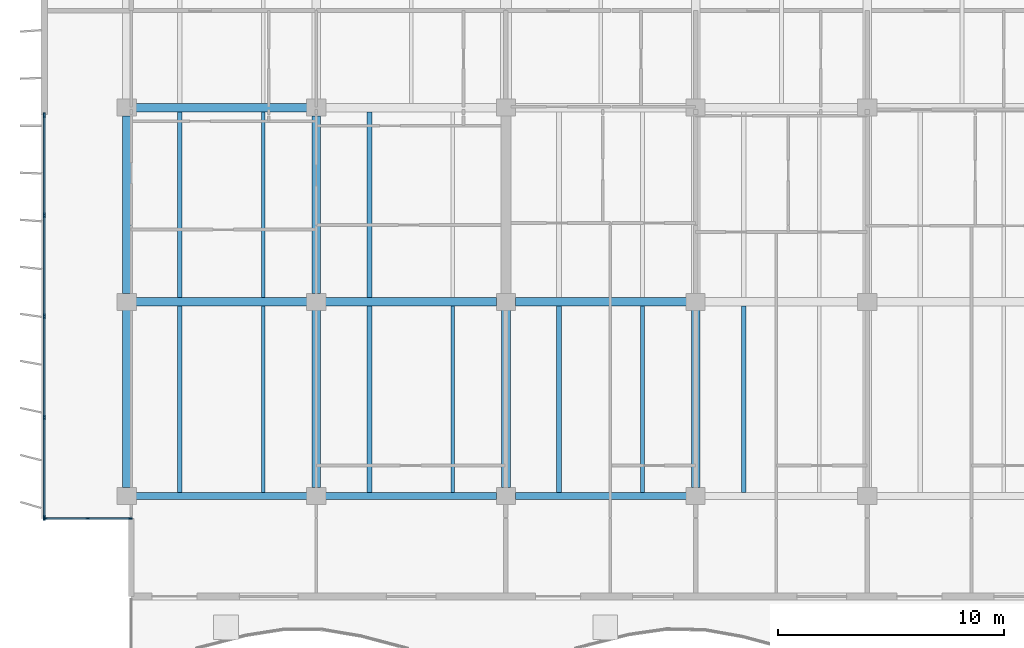
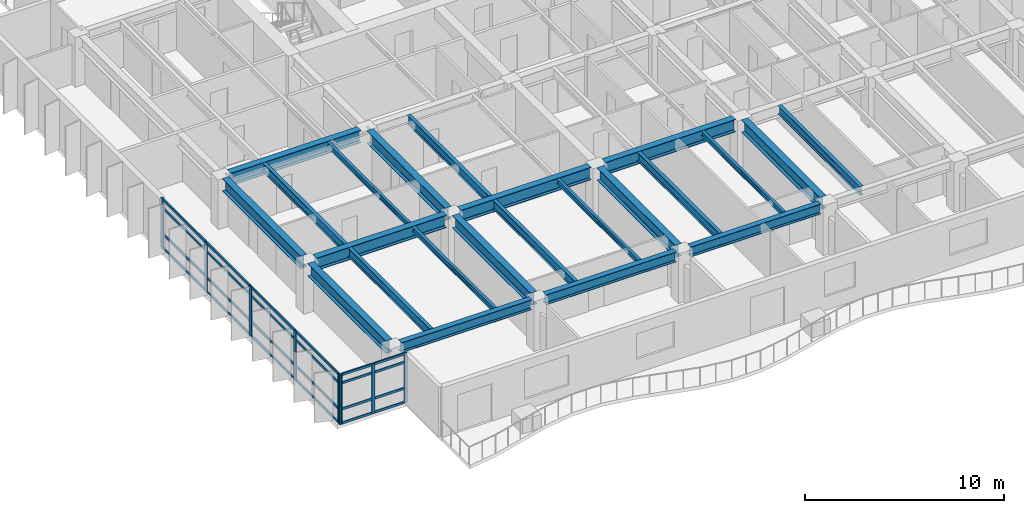
# One storey, part 2 of 19: 32 members, 23 beams, 2 elements without a shape of their own.
"""IFC4 building model written with IfcOpenShell, lengths in metres."""

from ifc_helpers import new_model, si_unit, direction, frame, origin, origin_2d, place, context, subcontext, project, spatial, rectangle, i_section, extrude, material, layer, layer_set, material_profile, profile_set, type_object, element, aggregate, save


model = new_model("IFC4")

# Units and contexts
model_context = context("Model", 3, precision=1e-05, world=origin(), true_north=direction((0.0, 1.0)))
body_context = subcontext(model_context, "Body", "Model", "MODEL_VIEW")
ifc_project = project(units=[si_unit("LENGTHUNIT", "METRE"), si_unit("AREAUNIT", "SQUARE_METRE"), si_unit("VOLUMEUNIT", "CUBIC_METRE"), si_unit("PLANEANGLEUNIT", "RADIAN"), si_unit("MASSUNIT", "GRAM", prefix="KILO")], contexts=[model_context])

# Site, building, storey
site_placement = place(None, origin())
site = spatial("IfcSite", under=ifc_project, at=site_placement, CompositionType="ELEMENT")
building_placement = place(site_placement, origin())
building = spatial("IfcBuilding", under=site, at=building_placement, Name="Caelmar Bay Residences", CompositionType="ELEMENT")
storey_placement = place(building_placement, frame((0.0, 0.0, 167.10009765625)))
storey = spatial("IfcBuildingStorey", under=building, at=storey_placement, Name="L46", CompositionType="ELEMENT", Elevation=167.10009765625)

# Beams
ifc_material_1 = material(Name="Steel ASTM A992 Grade 50", Category="steel")
ifc_material_profile_1 = material_profile(ifc_material_1, i_section(OverallWidth=0.381103515625, OverallDepth=0.77197265625, WebThickness=0.0166015625, FlangeThickness=0.027099609375, FilletRadius=0.0166015625, at=origin_2d()), Name="W30X173")
ifc_profile_set_1 = profile_set([ifc_material_profile_1], Name="Steel ASTM A992 Grade 50")
beam_type_1 = type_object("IfcBeamType", Name="BM-GRD-W30X173", PredefinedType="BEAM", material=ifc_profile_set_1)
beam_1_placement = place(storey_placement, frame((10.31494140625, 20.800048828125, 2.663818359375), z_axis=(1.0, 0.0, 0.0), x_axis=(0.0, 1.0, 0.0)))
element("IfcBeam", 1, at=beam_1_placement, inside=storey, type_object=beam_type_1, Name="L46 East-West Girder Y=20.80 (9.9-18.3)", PredefinedType="BEAM", context=body_context, shape_type="SweptSolid", body=[
    extrude(i_section(OverallWidth=0.381103515625, OverallDepth=0.77197265625, WebThickness=0.0166015625, FlangeThickness=0.027099609375, FilletRadius=0.0166015625, at=origin_2d()), origin(), (0.0, 0.0, 1.0), 7.570068359375),
])
beam_2_placement = place(storey_placement, frame((18.715087890625, 20.800048828125, 2.663818359375), z_axis=(1.0, 0.0, 0.0), x_axis=(0.0, 1.0, 0.0)))
element("IfcBeam", 2, at=beam_2_placement, inside=storey, type_object=beam_type_1, Name="L46 East-West Girder Y=20.80 (18.3-26.7)", PredefinedType="BEAM", context=body_context, shape_type="SweptSolid", body=[
    extrude(i_section(OverallWidth=0.381103515625, OverallDepth=0.77197265625, WebThickness=0.0166015625, FlangeThickness=0.027099609375, FilletRadius=0.0166015625, at=origin_2d()), origin(), (0.0, 0.0, 1.0), 7.56982421875),
])
for number, where, z_axis, x_axis, name in (
    (3, (27.114990234375, 20.800048828125, 2.663818359375), (1.0, 0.0, 0.0), (0.0, 1.0, 0.0), "L46 East-West Girder Y=20.80 (26.7-35.1)"),
    (4, (10.31494140625, 29.39990234375, 2.663818359375), (1.0, 0.0, 0.0), (0.0, 1.0, 0.0), "L46 East-West Girder Y=29.40 (9.9-18.3)"),
):
    element("IfcBeam", number, at=place(storey_placement, frame(where, z_axis=z_axis, x_axis=x_axis)), inside=storey, type_object=beam_type_1, Name=name, PredefinedType="BEAM", context=body_context, shape_type="SweptSolid", body=[
        extrude(i_section(OverallWidth=0.381103515625, OverallDepth=0.77197265625, WebThickness=0.0166015625, FlangeThickness=0.027099609375, FilletRadius=0.0166015625, at=origin_2d()), origin(), (0.0, 0.0, 1.0), 7.570068359375),
    ])
beam_3_placement = place(storey_placement, frame((9.89990234375, 12.56494140625, 2.663818359375), z_axis=(0.0, 1.0, 0.0), x_axis=(-1.0, 0.0, 0.0)))
element("IfcBeam", 5, at=beam_3_placement, inside=storey, type_object=beam_type_1, Name="L46 North-South Girder X=9.90 (12.2-20.8)", PredefinedType="BEAM", context=body_context, shape_type="SweptSolid", body=[
    extrude(i_section(OverallWidth=0.381103515625, OverallDepth=0.77197265625, WebThickness=0.0166015625, FlangeThickness=0.027099609375, FilletRadius=0.0166015625, at=origin_2d()), origin(), (0.0, 0.0, 1.0), 7.8701171875),
])
beam_4_placement = place(storey_placement, frame((9.89990234375, 21.1650390625, 2.663818359375), z_axis=(0.0, 1.0, 0.0), x_axis=(-1.0, 0.0, 0.0)))
element("IfcBeam", 6, at=beam_4_placement, inside=storey, type_object=beam_type_1, Name="L46 North-South Girder X=9.90 (20.8-29.4)", PredefinedType="BEAM", context=body_context, shape_type="SweptSolid", body=[
    extrude(i_section(OverallWidth=0.381103515625, OverallDepth=0.77197265625, WebThickness=0.0166015625, FlangeThickness=0.027099609375, FilletRadius=0.0166015625, at=origin_2d()), origin(), (0.0, 0.0, 1.0), 7.869873046875),
])
beam_5_placement = place(storey_placement, frame((18.300048828125, 12.56494140625, 2.663818359375), z_axis=(0.0, 1.0, 0.0), x_axis=(-1.0, 0.0, 0.0)))
element("IfcBeam", 7, at=beam_5_placement, inside=storey, type_object=beam_type_1, Name="L46 North-South Girder X=18.30 (12.2-20.8)", PredefinedType="BEAM", context=body_context, shape_type="SweptSolid", body=[
    extrude(i_section(OverallWidth=0.381103515625, OverallDepth=0.77197265625, WebThickness=0.0166015625, FlangeThickness=0.027099609375, FilletRadius=0.0166015625, at=origin_2d()), origin(), (0.0, 0.0, 1.0), 7.8701171875),
])
beam_6_placement = place(storey_placement, frame((18.300048828125, 21.1650390625, 2.663818359375), z_axis=(0.0, 1.0, 0.0), x_axis=(-1.0, 0.0, 0.0)))
element("IfcBeam", 8, at=beam_6_placement, inside=storey, type_object=beam_type_1, Name="L46 North-South Girder X=18.30 (20.8-29.4)", PredefinedType="BEAM", context=body_context, shape_type="SweptSolid", body=[
    extrude(i_section(OverallWidth=0.381103515625, OverallDepth=0.77197265625, WebThickness=0.0166015625, FlangeThickness=0.027099609375, FilletRadius=0.0166015625, at=origin_2d()), origin(), (0.0, 0.0, 1.0), 7.869873046875),
])
for number, where, z_axis, x_axis, name in (
    (9, (26.699951171875, 12.56494140625, 2.663818359375), (0.0, 1.0, 0.0), (-1.0, 0.0, 0.0), "L46 North-South Girder X=26.70 (12.2-20.8)"),
    (10, (35.10009765625, 12.56494140625, 2.663818359375), (0.0, 1.0, 0.0), (-1.0, 0.0, 0.0), "L46 North-South Girder X=35.10 (12.2-20.8)"),
):
    element("IfcBeam", number, at=place(storey_placement, frame(where, z_axis=z_axis, x_axis=x_axis)), inside=storey, type_object=beam_type_1, Name=name, PredefinedType="BEAM", context=body_context, shape_type="SweptSolid", body=[
        extrude(i_section(OverallWidth=0.381103515625, OverallDepth=0.77197265625, WebThickness=0.0166015625, FlangeThickness=0.027099609375, FilletRadius=0.0166015625, at=origin_2d()), origin(), (0.0, 0.0, 1.0), 7.8701171875),
    ])
ifc_material_profile_2 = material_profile(ifc_material_1, i_section(OverallWidth=0.1650390625, OverallDepth=0.31005859375, WebThickness=0.005859375, FlangeThickness=0.009765625, FilletRadius=0.007568359375, at=origin_2d()), Name="W12X26")
ifc_profile_set_2 = profile_set([ifc_material_profile_2], Name="Steel ASTM A992 Grade 50")
beam_type_2 = type_object("IfcBeamType", Name="BM-JST-W12X26", PredefinedType="JOIST", material=ifc_profile_set_2)
for number, where, z_axis, x_axis, name in (
    (11, (15.947998046875, 12.362548828125, 2.89501953125), (0.0, 1.0, 0.0), (-1.0, 0.0, 0.0), "L46 Composite Floor Joist 2"),
    (12, (24.347900390625, 12.362548828125, 2.89501953125), (0.0, 1.0, 0.0), (-1.0, 0.0, 0.0), "L46 Composite Floor Joist 4"),
    (13, (32.748046875, 12.362548828125, 2.89501953125), (0.0, 1.0, 0.0), (-1.0, 0.0, 0.0), "L46 Composite Floor Joist 6"),
):
    element("IfcBeam", number, at=place(storey_placement, frame(where, z_axis=z_axis, x_axis=x_axis)), inside=storey, type_object=beam_type_2, Name=name, PredefinedType="JOIST", context=body_context, shape_type="SweptSolid", body=[
        extrude(i_section(OverallWidth=0.1650390625, OverallDepth=0.31005859375, WebThickness=0.005859375, FlangeThickness=0.009765625, FilletRadius=0.007568359375, at=origin_2d()), origin(), (0.0, 0.0, 1.0), 8.2470703125),
    ])
beam_7_placement = place(storey_placement, frame((15.947998046875, 20.990478515625, 2.89501953125), z_axis=(0.0, 1.0, 0.0), x_axis=(-1.0, 0.0, 0.0)))
element("IfcBeam", 14, at=beam_7_placement, inside=storey, type_object=beam_type_2, Name="L46 Composite Floor Joist 16", PredefinedType="JOIST", context=body_context, shape_type="SweptSolid", body=[
    extrude(i_section(OverallWidth=0.1650390625, OverallDepth=0.31005859375, WebThickness=0.005859375, FlangeThickness=0.009765625, FilletRadius=0.007568359375, at=origin_2d()), origin(), (0.0, 0.0, 1.0), 8.218994140625),
])
ifc_material_profile_3 = material_profile(ifc_material_1, i_section(OverallWidth=0.2099609375, OverallDepth=0.535888671875, WebThickness=0.010986328125, FlangeThickness=0.017333984375, FilletRadius=0.0126953125, at=origin_2d()), Name="W21X68")
ifc_profile_set_3 = profile_set([ifc_material_profile_3], Name="Steel ASTM A992 Grade 50")
beam_type_3 = type_object("IfcBeamType", Name="BM-JST-W21X68", PredefinedType="JOIST", material=ifc_profile_set_3)
for number, where, z_axis, x_axis, name in (
    (15, (12.251953125, 12.362548828125, 2.781982421875), (0.0, 1.0, 0.0), (-1.0, 0.0, 0.0), "L46 Composite Floor Joist 1"),
    (16, (20.652099609375, 12.362548828125, 2.781982421875), (0.0, 1.0, 0.0), (-1.0, 0.0, 0.0), "L46 Composite Floor Joist 3"),
    (17, (29.052001953125, 12.362548828125, 2.781982421875), (0.0, 1.0, 0.0), (-1.0, 0.0, 0.0), "L46 Composite Floor Joist 5"),
    (18, (37.22802734375, 12.362548828125, 2.781982421875), (0.0, 1.0, 0.0), (-1.0, 0.0, 0.0), "L46 Composite Floor Joist 7"),
):
    element("IfcBeam", number, at=place(storey_placement, frame(where, z_axis=z_axis, x_axis=x_axis)), inside=storey, type_object=beam_type_3, Name=name, PredefinedType="JOIST", context=body_context, shape_type="SweptSolid", body=[
        extrude(i_section(OverallWidth=0.2099609375, OverallDepth=0.535888671875, WebThickness=0.010986328125, FlangeThickness=0.017333984375, FilletRadius=0.0126953125, at=origin_2d()), origin(), (0.0, 0.0, 1.0), 8.2470703125),
    ])
for number, where, z_axis, x_axis, name in (
    (19, (12.251953125, 20.990478515625, 2.781982421875), (0.0, 1.0, 0.0), (-1.0, 0.0, 0.0), "L46 Composite Floor Joist 15"),
    (20, (20.652099609375, 20.990478515625, 2.781982421875), (0.0, 1.0, 0.0), (-1.0, 0.0, 0.0), "L46 Composite Floor Joist 17"),
):
    element("IfcBeam", number, at=place(storey_placement, frame(where, z_axis=z_axis, x_axis=x_axis)), inside=storey, type_object=beam_type_3, Name=name, PredefinedType="JOIST", context=body_context, shape_type="SweptSolid", body=[
        extrude(i_section(OverallWidth=0.2099609375, OverallDepth=0.535888671875, WebThickness=0.010986328125, FlangeThickness=0.017333984375, FilletRadius=0.0126953125, at=origin_2d()), origin(), (0.0, 0.0, 1.0), 8.218994140625),
    ])
ifc_material_profile_4 = material_profile(ifc_material_1, i_section(OverallWidth=0.324951171875, OverallDepth=0.616943359375, WebThickness=0.013916015625, FlangeThickness=0.021484375, FilletRadius=0.0126953125, at=origin_2d()), Name="W24X117")
ifc_profile_set_4 = profile_set([ifc_material_profile_4], Name="Steel ASTM A992 Grade 50")
beam_type_4 = type_object("IfcBeamType", Name="BM-SPN-W24X117", PredefinedType="SPANDREL", material=ifc_profile_set_4)
beam_8_placement = place(storey_placement, frame((10.31494140625, 12.199951171875, 2.741455078125), z_axis=(1.0, 0.0, 0.0), x_axis=(0.0, 1.0, 0.0)))
element("IfcBeam", 21, at=beam_8_placement, inside=storey, type_object=beam_type_4, Name="L46 East-West Girder Y=12.20 (9.9-18.3)", PredefinedType="SPANDREL", context=body_context, shape_type="SweptSolid", body=[
    extrude(i_section(OverallWidth=0.324951171875, OverallDepth=0.616943359375, WebThickness=0.013916015625, FlangeThickness=0.021484375, FilletRadius=0.0126953125, at=origin_2d()), origin(), (0.0, 0.0, 1.0), 7.570068359375),
])
beam_9_placement = place(storey_placement, frame((18.715087890625, 12.199951171875, 2.741455078125), z_axis=(1.0, 0.0, 0.0), x_axis=(0.0, 1.0, 0.0)))
element("IfcBeam", 22, at=beam_9_placement, inside=storey, type_object=beam_type_4, Name="L46 East-West Girder Y=12.20 (18.3-26.7)", PredefinedType="SPANDREL", context=body_context, shape_type="SweptSolid", body=[
    extrude(i_section(OverallWidth=0.324951171875, OverallDepth=0.616943359375, WebThickness=0.013916015625, FlangeThickness=0.021484375, FilletRadius=0.0126953125, at=origin_2d()), origin(), (0.0, 0.0, 1.0), 7.56982421875),
])
beam_10_placement = place(storey_placement, frame((27.114990234375, 12.199951171875, 2.741455078125), z_axis=(1.0, 0.0, 0.0), x_axis=(0.0, 1.0, 0.0)))
element("IfcBeam", 23, at=beam_10_placement, inside=storey, type_object=beam_type_4, Name="L46 East-West Girder Y=12.20 (26.7-35.1)", PredefinedType="SPANDREL", context=body_context, shape_type="SweptSolid", body=[
    extrude(i_section(OverallWidth=0.324951171875, OverallDepth=0.616943359375, WebThickness=0.013916015625, FlangeThickness=0.021484375, FilletRadius=0.0126953125, at=origin_2d()), origin(), (0.0, 0.0, 1.0), 7.570068359375),
])

# Curtain wall, members
ifc_material_2 = material(Name="Anodised bronze aluminium 6063-T6 and laminated glass", Category="aluminium")
ifc_layer_1 = layer(ifc_material_2, 0.179931640625)
ifc_layer_set_1 = layer_set([ifc_layer_1], Name="Anodised bronze aluminium 6063-T6 and laminated glass")
curtain_wall_type_1 = type_object("IfcCurtainWallType", Name="CW6-NTC", PredefinedType="NOTDEFINED", material=ifc_layer_set_1)
curtain_wall_1_placement = place(storey_placement, origin())
curtain_wall_1 = element("IfcCurtainWall", 24, at=curtain_wall_1_placement, inside=storey, type_object=curtain_wall_type_1, Name="CW6 curtain wall L46", PredefinedType="NOTDEFINED")
ifc_material_3 = material(Name="Anodised bronze aluminium 6063-T6", Category="aluminium")
ifc_material_profile_5 = material_profile(ifc_material_3, rectangle(XDim=0.080078125, YDim=0.179931640625, at=origin_2d()), Name="CWM-80X180")
ifc_profile_set_5 = profile_set([ifc_material_profile_5], Name="Anodised bronze aluminium 6063-T6")
member_type_1 = type_object("IfcMemberType", Name="CWM-180", PredefinedType="MULLION", material=ifc_profile_set_5)
member_1_placement = place(storey_placement, frame((6.2900390625, 11.199951171875, 0.0), z_axis=(0.0, 0.0, 1.0), x_axis=(0.0, 1.0, 0.0)))
member_1 = element("IfcMember", 25, at=member_1_placement, type_object=member_type_1, Name="CW6 mullion 1", PredefinedType="MULLION", context=body_context, shape_type="SweptSolid", body=[
    extrude(rectangle(XDim=0.080078125, YDim=0.179931640625, at=origin_2d()), origin(), (0.0, 0.0, 1.0), 3.0498046875),
])
member_2_placement = place(storey_placement, frame((8.175048828125, 11.199951171875, 0.0), z_axis=(0.0, 0.0, 1.0), x_axis=(0.0, 1.0, 0.0)))
member_2 = element("IfcMember", 26, at=member_2_placement, type_object=member_type_1, Name="CW6 mullion 2", PredefinedType="MULLION", context=body_context, shape_type="SweptSolid", body=[
    extrude(rectangle(XDim=0.080078125, YDim=0.179931640625, at=origin_2d()), origin(), (0.0, 0.0, 1.0), 3.0498046875),
])
member_3_placement = place(storey_placement, frame((10.06005859375, 11.199951171875, 0.0), z_axis=(0.0, 0.0, 1.0), x_axis=(0.0, 1.0, 0.0)))
member_3 = element("IfcMember", 27, at=member_3_placement, type_object=member_type_1, Name="CW6 mullion 3", PredefinedType="MULLION", context=body_context, shape_type="SweptSolid", body=[
    extrude(rectangle(XDim=0.080078125, YDim=0.179931640625, at=origin_2d()), origin(), (0.0, 0.0, 1.0), 3.0498046875),
])

ifc_layer_2 = layer(ifc_material_2, 0.179931640625)
ifc_layer_set_2 = layer_set([ifc_layer_2], Name="Anodised bronze aluminium 6063-T6 and laminated glass")
curtain_wall_type_2 = type_object("IfcCurtainWallType", Name="CW4-Z3", PredefinedType="NOTDEFINED", material=ifc_layer_set_2)
curtain_wall_2_placement = place(storey_placement, origin())
curtain_wall_2 = element("IfcCurtainWall", 28, at=curtain_wall_2_placement, inside=storey, type_object=curtain_wall_type_2, Name="CW4 curtain wall L46", PredefinedType="NOTDEFINED")
ifc_material_profile_6 = material_profile(ifc_material_3, rectangle(XDim=0.080078125, YDim=0.219970703125, at=origin_2d()), Name="CWM-80X220")
ifc_profile_set_6 = profile_set([ifc_material_profile_6], Name="Anodised bronze aluminium 6063-T6")
member_type_2 = type_object("IfcMemberType", Name="CWM-220", PredefinedType="MULLION", material=ifc_profile_set_6)
member_4_placement = place(storey_placement, frame((6.25, 11.239990234375, 0.0), z_axis=(0.0, 0.0, 1.0), x_axis=(-1.0, 0.0, 0.0)))
member_4 = element("IfcMember", 29, at=member_4_placement, type_object=member_type_2, Name="CW4 mullion 1", PredefinedType="MULLION", context=body_context, shape_type="SweptSolid", body=[
    extrude(rectangle(XDim=0.080078125, YDim=0.219970703125, at=origin_2d()), origin(), (0.0, 0.0, 1.0), 3.0498046875),
])
member_5_placement = place(storey_placement, frame((6.25, 15.675048828125, 0.0), z_axis=(0.0, 0.0, 1.0), x_axis=(-1.0, 0.0, 0.0)))
member_5 = element("IfcMember", 30, at=member_5_placement, type_object=member_type_2, Name="CW4 mullion 2", PredefinedType="MULLION", context=body_context, shape_type="SweptSolid", body=[
    extrude(rectangle(XDim=0.080078125, YDim=0.219970703125, at=origin_2d()), origin(), (0.0, 0.0, 1.0), 3.0498046875),
])
member_6_placement = place(storey_placement, frame((6.25, 20.14990234375, 0.0), z_axis=(0.0, 0.0, 1.0), x_axis=(-1.0, 0.0, 0.0)))
member_6 = element("IfcMember", 31, at=member_6_placement, type_object=member_type_2, Name="CW4 mullion 3", PredefinedType="MULLION", context=body_context, shape_type="SweptSolid", body=[
    extrude(rectangle(XDim=0.080078125, YDim=0.219970703125, at=origin_2d()), origin(), (0.0, 0.0, 1.0), 3.0498046875),
])
member_7_placement = place(storey_placement, frame((6.25, 24.625, 0.0), z_axis=(0.0, 0.0, 1.0), x_axis=(-1.0, 0.0, 0.0)))
member_7 = element("IfcMember", 32, at=member_7_placement, type_object=member_type_2, Name="CW4 mullion 4", PredefinedType="MULLION", context=body_context, shape_type="SweptSolid", body=[
    extrude(rectangle(XDim=0.080078125, YDim=0.219970703125, at=origin_2d()), origin(), (0.0, 0.0, 1.0), 3.0498046875),
])
member_8_placement = place(storey_placement, frame((6.25, 29.06005859375, 0.0), z_axis=(0.0, 0.0, 1.0), x_axis=(-1.0, 0.0, 0.0)))
member_8 = element("IfcMember", 33, at=member_8_placement, type_object=member_type_2, Name="CW4 mullion 5", PredefinedType="MULLION", context=body_context, shape_type="SweptSolid", body=[
    extrude(rectangle(XDim=0.080078125, YDim=0.219970703125, at=origin_2d()), origin(), (0.0, 0.0, 1.0), 3.0498046875),
])

# Member
ifc_material_profile_7 = material_profile(ifc_material_3, rectangle(XDim=0.080078125, YDim=0.139892578125, at=origin_2d()), Name="CWT-80X140")
ifc_profile_set_7 = profile_set([ifc_material_profile_7], Name="Anodised bronze aluminium 6063-T6")
member_type_3 = type_object("IfcMemberType", Name="CWT-140", PredefinedType="NOTDEFINED", material=ifc_profile_set_7)
member_9_placement = place(storey_placement, frame((6.330078125, 11.199951171875, 0.039794921875), z_axis=(1.0, 0.0, 0.0), x_axis=(0.0, 1.0, 0.0)))
member_9 = element("IfcMember", 34, at=member_9_placement, type_object=member_type_3, Name="CW6 transom 1.1", ObjectType="TRANSOM", PredefinedType="USERDEFINED", context=body_context, shape_type="SweptSolid", body=[
    extrude(rectangle(XDim=0.080078125, YDim=0.139892578125, at=origin_2d()), origin(), (0.0, 0.0, 1.0), 1.804931640625),
])

member_10_placement = place(storey_placement, frame((6.330078125, 11.199951171875, 0.89990234375), z_axis=(1.0, 0.0, 0.0), x_axis=(0.0, 1.0, 0.0)))
member_10 = element("IfcMember", 35, at=member_10_placement, type_object=member_type_3, Name="CW6 transom 1.2", ObjectType="TRANSOM", PredefinedType="USERDEFINED", context=body_context, shape_type="SweptSolid", body=[
    extrude(rectangle(XDim=0.080078125, YDim=0.139892578125, at=origin_2d()), origin(), (0.0, 0.0, 1.0), 1.804931640625),
])

member_11_placement = place(storey_placement, frame((6.330078125, 11.199951171875, 2.5), z_axis=(1.0, 0.0, 0.0), x_axis=(0.0, 1.0, 0.0)))
member_11 = element("IfcMember", 36, at=member_11_placement, type_object=member_type_3, Name="CW6 transom 1.3", ObjectType="TRANSOM", PredefinedType="USERDEFINED", context=body_context, shape_type="SweptSolid", body=[
    extrude(rectangle(XDim=0.080078125, YDim=0.139892578125, at=origin_2d()), origin(), (0.0, 0.0, 1.0), 1.804931640625),
])

member_12_placement = place(storey_placement, frame((6.330078125, 11.199951171875, 3.010009765625), z_axis=(1.0, 0.0, 0.0), x_axis=(0.0, 1.0, 0.0)))
member_12 = element("IfcMember", 37, at=member_12_placement, type_object=member_type_3, Name="CW6 transom 1.4", ObjectType="TRANSOM", PredefinedType="USERDEFINED", context=body_context, shape_type="SweptSolid", body=[
    extrude(rectangle(XDim=0.080078125, YDim=0.139892578125, at=origin_2d()), origin(), (0.0, 0.0, 1.0), 1.804931640625),
])

member_13_placement = place(storey_placement, frame((8.215087890625, 11.199951171875, 0.039794921875), z_axis=(1.0, 0.0, 0.0), x_axis=(0.0, 1.0, 0.0)))
member_13 = element("IfcMember", 38, at=member_13_placement, type_object=member_type_3, Name="CW6 transom 2.1", ObjectType="TRANSOM", PredefinedType="USERDEFINED", context=body_context, shape_type="SweptSolid", body=[
    extrude(rectangle(XDim=0.080078125, YDim=0.139892578125, at=origin_2d()), origin(), (0.0, 0.0, 1.0), 1.804931640625),
])

member_14_placement = place(storey_placement, frame((8.215087890625, 11.199951171875, 0.89990234375), z_axis=(1.0, 0.0, 0.0), x_axis=(0.0, 1.0, 0.0)))
member_14 = element("IfcMember", 39, at=member_14_placement, type_object=member_type_3, Name="CW6 transom 2.2", ObjectType="TRANSOM", PredefinedType="USERDEFINED", context=body_context, shape_type="SweptSolid", body=[
    extrude(rectangle(XDim=0.080078125, YDim=0.139892578125, at=origin_2d()), origin(), (0.0, 0.0, 1.0), 1.804931640625),
])

member_15_placement = place(storey_placement, frame((8.215087890625, 11.199951171875, 2.5), z_axis=(1.0, 0.0, 0.0), x_axis=(0.0, 1.0, 0.0)))
member_15 = element("IfcMember", 40, at=member_15_placement, type_object=member_type_3, Name="CW6 transom 2.3", ObjectType="TRANSOM", PredefinedType="USERDEFINED", context=body_context, shape_type="SweptSolid", body=[
    extrude(rectangle(XDim=0.080078125, YDim=0.139892578125, at=origin_2d()), origin(), (0.0, 0.0, 1.0), 1.804931640625),
])

member_16_placement = place(storey_placement, frame((8.215087890625, 11.199951171875, 3.010009765625), z_axis=(1.0, 0.0, 0.0), x_axis=(0.0, 1.0, 0.0)))
member_16 = element("IfcMember", 41, at=member_16_placement, type_object=member_type_3, Name="CW6 transom 2.4", ObjectType="TRANSOM", PredefinedType="USERDEFINED", context=body_context, shape_type="SweptSolid", body=[
    extrude(rectangle(XDim=0.080078125, YDim=0.139892578125, at=origin_2d()), origin(), (0.0, 0.0, 1.0), 1.804931640625),
])

aggregate(curtain_wall_1, [member_1, member_2, member_3, member_9, member_10, member_11, member_12, member_13, member_14, member_15, member_16])

member_17_placement = place(storey_placement, frame((6.25, 11.280029296875, 0.039794921875), z_axis=(0.0, 1.0, 0.0), x_axis=(-1.0, 0.0, 0.0)))
member_17 = element("IfcMember", 42, at=member_17_placement, type_object=member_type_3, Name="CW4 transom 1.1", ObjectType="TRANSOM", PredefinedType="USERDEFINED", context=body_context, shape_type="SweptSolid", body=[
    extrude(rectangle(XDim=0.080078125, YDim=0.139892578125, at=origin_2d()), origin(), (0.0, 0.0, 1.0), 4.35498046875),
])

member_18_placement = place(storey_placement, frame((6.25, 11.280029296875, 0.89990234375), z_axis=(0.0, 1.0, 0.0), x_axis=(-1.0, 0.0, 0.0)))
member_18 = element("IfcMember", 43, at=member_18_placement, type_object=member_type_3, Name="CW4 transom 1.2", ObjectType="TRANSOM", PredefinedType="USERDEFINED", context=body_context, shape_type="SweptSolid", body=[
    extrude(rectangle(XDim=0.080078125, YDim=0.139892578125, at=origin_2d()), origin(), (0.0, 0.0, 1.0), 4.35498046875),
])

member_19_placement = place(storey_placement, frame((6.25, 11.280029296875, 2.5), z_axis=(0.0, 1.0, 0.0), x_axis=(-1.0, 0.0, 0.0)))
member_19 = element("IfcMember", 44, at=member_19_placement, type_object=member_type_3, Name="CW4 transom 1.3", ObjectType="TRANSOM", PredefinedType="USERDEFINED", context=body_context, shape_type="SweptSolid", body=[
    extrude(rectangle(XDim=0.080078125, YDim=0.139892578125, at=origin_2d()), origin(), (0.0, 0.0, 1.0), 4.35498046875),
])

member_20_placement = place(storey_placement, frame((6.25, 11.280029296875, 3.010009765625), z_axis=(0.0, 1.0, 0.0), x_axis=(-1.0, 0.0, 0.0)))
member_20 = element("IfcMember", 45, at=member_20_placement, type_object=member_type_3, Name="CW4 transom 1.4", ObjectType="TRANSOM", PredefinedType="USERDEFINED", context=body_context, shape_type="SweptSolid", body=[
    extrude(rectangle(XDim=0.080078125, YDim=0.139892578125, at=origin_2d()), origin(), (0.0, 0.0, 1.0), 4.35498046875),
])

member_21_placement = place(storey_placement, frame((6.25, 15.715087890625, 0.039794921875), z_axis=(0.0, 1.0, 0.0), x_axis=(-1.0, 0.0, 0.0)))
member_21 = element("IfcMember", 46, at=member_21_placement, type_object=member_type_3, Name="CW4 transom 2.1", ObjectType="TRANSOM", PredefinedType="USERDEFINED", context=body_context, shape_type="SweptSolid", body=[
    extrude(rectangle(XDim=0.080078125, YDim=0.139892578125, at=origin_2d()), origin(), (0.0, 0.0, 1.0), 4.39501953125),
])

member_22_placement = place(storey_placement, frame((6.25, 15.715087890625, 0.89990234375), z_axis=(0.0, 1.0, 0.0), x_axis=(-1.0, 0.0, 0.0)))
member_22 = element("IfcMember", 47, at=member_22_placement, type_object=member_type_3, Name="CW4 transom 2.2", ObjectType="TRANSOM", PredefinedType="USERDEFINED", context=body_context, shape_type="SweptSolid", body=[
    extrude(rectangle(XDim=0.080078125, YDim=0.139892578125, at=origin_2d()), origin(), (0.0, 0.0, 1.0), 4.39501953125),
])

member_23_placement = place(storey_placement, frame((6.25, 15.715087890625, 2.5), z_axis=(0.0, 1.0, 0.0), x_axis=(-1.0, 0.0, 0.0)))
member_23 = element("IfcMember", 48, at=member_23_placement, type_object=member_type_3, Name="CW4 transom 2.3", ObjectType="TRANSOM", PredefinedType="USERDEFINED", context=body_context, shape_type="SweptSolid", body=[
    extrude(rectangle(XDim=0.080078125, YDim=0.139892578125, at=origin_2d()), origin(), (0.0, 0.0, 1.0), 4.39501953125),
])

member_24_placement = place(storey_placement, frame((6.25, 15.715087890625, 3.010009765625), z_axis=(0.0, 1.0, 0.0), x_axis=(-1.0, 0.0, 0.0)))
member_24 = element("IfcMember", 49, at=member_24_placement, type_object=member_type_3, Name="CW4 transom 2.4", ObjectType="TRANSOM", PredefinedType="USERDEFINED", context=body_context, shape_type="SweptSolid", body=[
    extrude(rectangle(XDim=0.080078125, YDim=0.139892578125, at=origin_2d()), origin(), (0.0, 0.0, 1.0), 4.39501953125),
])

member_25_placement = place(storey_placement, frame((6.25, 20.18994140625, 0.039794921875), z_axis=(0.0, 1.0, 0.0), x_axis=(-1.0, 0.0, 0.0)))
member_25 = element("IfcMember", 50, at=member_25_placement, type_object=member_type_3, Name="CW4 transom 3.1", ObjectType="TRANSOM", PredefinedType="USERDEFINED", context=body_context, shape_type="SweptSolid", body=[
    extrude(rectangle(XDim=0.080078125, YDim=0.139892578125, at=origin_2d()), origin(), (0.0, 0.0, 1.0), 4.39501953125),
])

member_26_placement = place(storey_placement, frame((6.25, 20.18994140625, 0.89990234375), z_axis=(0.0, 1.0, 0.0), x_axis=(-1.0, 0.0, 0.0)))
member_26 = element("IfcMember", 51, at=member_26_placement, type_object=member_type_3, Name="CW4 transom 3.2", ObjectType="TRANSOM", PredefinedType="USERDEFINED", context=body_context, shape_type="SweptSolid", body=[
    extrude(rectangle(XDim=0.080078125, YDim=0.139892578125, at=origin_2d()), origin(), (0.0, 0.0, 1.0), 4.39501953125),
])

member_27_placement = place(storey_placement, frame((6.25, 20.18994140625, 2.5), z_axis=(0.0, 1.0, 0.0), x_axis=(-1.0, 0.0, 0.0)))
member_27 = element("IfcMember", 52, at=member_27_placement, type_object=member_type_3, Name="CW4 transom 3.3", ObjectType="TRANSOM", PredefinedType="USERDEFINED", context=body_context, shape_type="SweptSolid", body=[
    extrude(rectangle(XDim=0.080078125, YDim=0.139892578125, at=origin_2d()), origin(), (0.0, 0.0, 1.0), 4.39501953125),
])

member_28_placement = place(storey_placement, frame((6.25, 20.18994140625, 3.010009765625), z_axis=(0.0, 1.0, 0.0), x_axis=(-1.0, 0.0, 0.0)))
member_28 = element("IfcMember", 53, at=member_28_placement, type_object=member_type_3, Name="CW4 transom 3.4", ObjectType="TRANSOM", PredefinedType="USERDEFINED", context=body_context, shape_type="SweptSolid", body=[
    extrude(rectangle(XDim=0.080078125, YDim=0.139892578125, at=origin_2d()), origin(), (0.0, 0.0, 1.0), 4.39501953125),
])

member_29_placement = place(storey_placement, frame((6.25, 24.6650390625, 0.039794921875), z_axis=(0.0, 1.0, 0.0), x_axis=(-1.0, 0.0, 0.0)))
member_29 = element("IfcMember", 54, at=member_29_placement, type_object=member_type_3, Name="CW4 transom 4.1", ObjectType="TRANSOM", PredefinedType="USERDEFINED", context=body_context, shape_type="SweptSolid", body=[
    extrude(rectangle(XDim=0.080078125, YDim=0.139892578125, at=origin_2d()), origin(), (0.0, 0.0, 1.0), 4.35498046875),
])

member_30_placement = place(storey_placement, frame((6.25, 24.6650390625, 0.89990234375), z_axis=(0.0, 1.0, 0.0), x_axis=(-1.0, 0.0, 0.0)))
member_30 = element("IfcMember", 55, at=member_30_placement, type_object=member_type_3, Name="CW4 transom 4.2", ObjectType="TRANSOM", PredefinedType="USERDEFINED", context=body_context, shape_type="SweptSolid", body=[
    extrude(rectangle(XDim=0.080078125, YDim=0.139892578125, at=origin_2d()), origin(), (0.0, 0.0, 1.0), 4.35498046875),
])

member_31_placement = place(storey_placement, frame((6.25, 24.6650390625, 2.5), z_axis=(0.0, 1.0, 0.0), x_axis=(-1.0, 0.0, 0.0)))
member_31 = element("IfcMember", 56, at=member_31_placement, type_object=member_type_3, Name="CW4 transom 4.3", ObjectType="TRANSOM", PredefinedType="USERDEFINED", context=body_context, shape_type="SweptSolid", body=[
    extrude(rectangle(XDim=0.080078125, YDim=0.139892578125, at=origin_2d()), origin(), (0.0, 0.0, 1.0), 4.35498046875),
])

member_32_placement = place(storey_placement, frame((6.25, 24.6650390625, 3.010009765625), z_axis=(0.0, 1.0, 0.0), x_axis=(-1.0, 0.0, 0.0)))
member_32 = element("IfcMember", 57, at=member_32_placement, type_object=member_type_3, Name="CW4 transom 4.4", ObjectType="TRANSOM", PredefinedType="USERDEFINED", context=body_context, shape_type="SweptSolid", body=[
    extrude(rectangle(XDim=0.080078125, YDim=0.139892578125, at=origin_2d()), origin(), (0.0, 0.0, 1.0), 4.35498046875),
])

aggregate(curtain_wall_2, [member_4, member_5, member_6, member_7, member_8, member_17, member_18, member_19, member_20, member_21, member_22, member_23, member_24, member_25, member_26, member_27, member_28, member_29, member_30, member_31, member_32])

save(model, "model.ifc")
